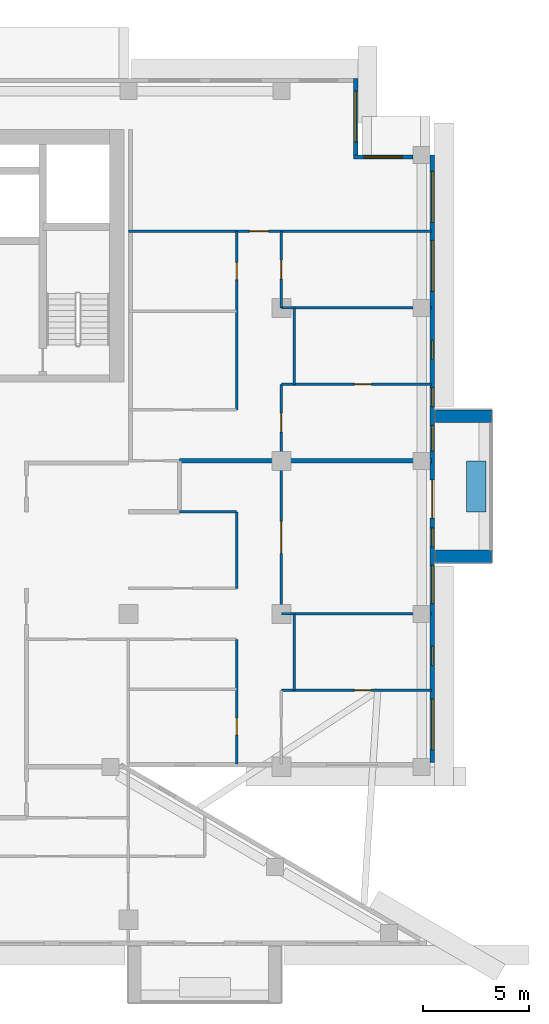
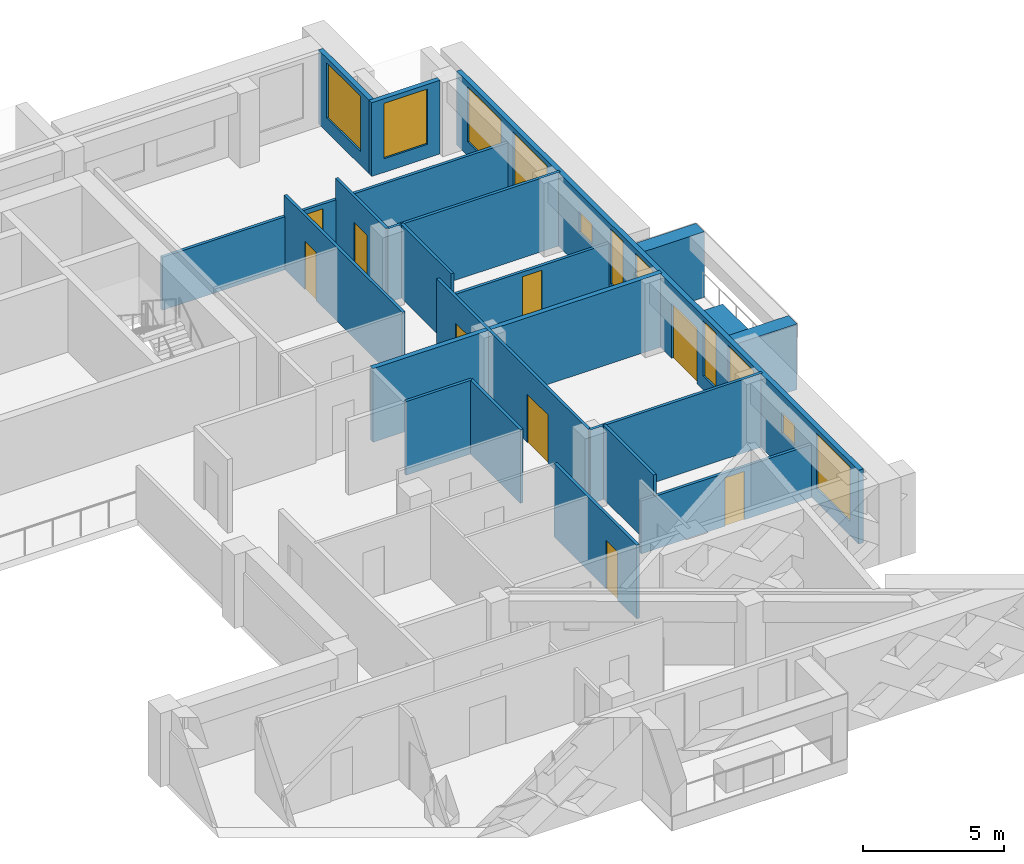
# One storey, part 12 of 20: 20 walls, 11 windows, 9 doors, 20 openings.
"""IFC4 building model written with IfcOpenShell, lengths in metres."""

from ifc_helpers import new_model, si_unit, direction, frame, frame_2d, origin, place, context, subcontext, project, spatial, rectangle, extrude, material, layer, layer_set, type_object, element, fill, save


model = new_model("IFC4")

# Units and contexts
model_context = context("Model", 3, precision=1e-05, world=origin(), true_north=direction((0.0, 1.0)))
body_context = subcontext(model_context, "Body", "Model", "MODEL_VIEW")
ifc_project = project(units=[si_unit("LENGTHUNIT", "METRE"), si_unit("AREAUNIT", "SQUARE_METRE"), si_unit("VOLUMEUNIT", "CUBIC_METRE"), si_unit("PLANEANGLEUNIT", "RADIAN"), si_unit("MASSUNIT", "GRAM", prefix="KILO")], contexts=[model_context])

# Site, building, storey
site_placement = place(None, origin())
site = spatial("IfcSite", under=ifc_project, at=site_placement, CompositionType="ELEMENT")
building_placement = place(site_placement, origin())
building = spatial("IfcBuilding", under=site, at=building_placement, Name="Saffron Iwan Residences", CompositionType="ELEMENT")
storey_placement = place(building_placement, frame((0.0, 0.0, 199.0)))
storey = spatial("IfcBuildingStorey", under=building, at=storey_placement, Name="L53", CompositionType="ELEMENT", Elevation=199.0)

# Walls
ifc_material_1 = material(Name="Concrete C50/60 white painted", Category="concrete")
ifc_layer_1 = layer(ifc_material_1, 0.60009765625)
ifc_layer_set_1 = layer_set([ifc_layer_1], Name="Concrete C50/60 white painted")
wall_type_1 = type_object("IfcWallType", Name="BALCONY FIN 600", PredefinedType="SOLIDWALL", material=ifc_layer_set_1)
for number, where, z_axis, x_axis, name in (
    (1, (86.449951171875, 57.89990234375, 0.0), (0.0, 0.0, 1.0), (1.0, 0.0, 0.0), "Balcony fin L53 F2-0a"),
    (2, (86.449951171875, 64.5, 0.0), (0.0, 0.0, 1.0), (1.0, 0.0, 0.0), "Balcony fin L53 F2-0b"),
):
    element("IfcWall", number, at=place(storey_placement, frame(where, z_axis=z_axis, x_axis=x_axis)), inside=storey, type_object=wall_type_1, Name=name, PredefinedType="SOLIDWALL", context=body_context, shape_type="SweptSolid", body=[
        extrude(rectangle(XDim=2.650146484375, YDim=0.60009765625, at=frame_2d((1.3251953125, 0.0))), origin(), (0.0, 0.0, 1.0), 2.85009765625),
    ])
ifc_material_2 = material(Name="Concrete C35/45 white painted", Category="concrete")
ifc_layer_2 = layer(ifc_material_2, 0.14990234375)
ifc_layer_set_2 = layer_set([ifc_layer_2], Name="Concrete C35/45 white painted")
wall_type_2 = type_object("IfcWallType", Name="BALCONY PLANTER", PredefinedType="SOLIDWALL", material=ifc_layer_set_2)
wall_1_placement = place(storey_placement, frame((88.375, 60.0, 0.0), z_axis=(0.0, 0.0, 1.0), x_axis=(0.0, 1.0, 0.0)))
element("IfcWall", 3, at=wall_1_placement, inside=storey, type_object=wall_type_2, Name="PLANTER L53 F2-0", PredefinedType="SOLIDWALL", context=body_context, shape_type="SweptSolid", body=[
    extrude(rectangle(XDim=2.39990234375, YDim=0.89990234375, at=frame_2d((1.199951171875, 0.0))), origin(), (0.0, 0.0, 1.0), 0.89990234375),
])

# Wall, openings, door, windows
ifc_material_3 = material(Name="Concrete C40/50", Category="concrete")
ifc_layer_3 = layer(ifc_material_3, 0.199951171875)
ifc_layer_set_3 = layer_set([ifc_layer_3], Name="Concrete C40/50")
wall_type_3 = type_object("IfcWallType", Name="EXTERNAL WALL 200", PredefinedType="SOLIDWALL", material=ifc_layer_set_3)
wall_2_placement = place(storey_placement, frame((86.300048828125, 48.199951171875, 0.0), z_axis=(0.0, 0.0, 1.0), x_axis=(0.0, 1.0, 0.0)))
wall_2 = element("IfcWall", 4, at=wall_2_placement, inside=storey, type_object=wall_type_3, Name="External wall L53 F2.0", PredefinedType="SOLIDWALL", context=body_context, shape_type="SweptSolid", body=[
    extrude(rectangle(XDim=28.60009765625, YDim=0.199951171875, at=frame_2d((14.300048828125, 0.0))), origin(), (0.0, 0.0, 1.0), 3.199951171875),
])
opening_1_placement = place(wall_2_placement, frame((11.5, 0.0, 0.0)))
opening_1 = element("IfcOpeningElement", 5, at=opening_1_placement, cuts=wall_2, Name="Opening BD1", PredefinedType="OPENING", context=body_context, shape_type="SweptSolid", body=[
    extrude(rectangle(XDim=1.800048828125, YDim=2.39990234375, at=frame_2d((0.89990234375, 1.199951171875))), frame((0.0, 0.10986328125, 0.0), z_axis=(0.0, -1.0, 0.0), x_axis=(1.0, 0.0, 0.0)), (0.0, 0.0, 1.0), 0.219970703125),
])
opening_2_placement = place(wall_2_placement, frame((0.60009765625, 0.0, 0.60009765625)))
opening_2 = element("IfcOpeningElement", 6, at=opening_2_placement, cuts=wall_2, Name="Opening W1", PredefinedType="OPENING", context=body_context, shape_type="SweptSolid", body=[
    extrude(rectangle(XDim=2.39990234375, YDim=2.39990234375, at=frame_2d((1.199951171875, 1.199951171875))), frame((0.0, 0.10986328125, 0.0), z_axis=(0.0, -1.0, 0.0), x_axis=(1.0, 0.0, 0.0)), (0.0, 0.0, 1.0), 0.219970703125),
])
opening_3_placement = place(wall_2_placement, frame((4.574951171875, 0.0, 1.5)))
opening_3 = element("IfcOpeningElement", 7, at=opening_3_placement, cuts=wall_2, Name="Opening W6", PredefinedType="OPENING", context=body_context, shape_type="SweptSolid", body=[
    extrude(rectangle(XDim=0.89990234375, YDim=0.89990234375, at=frame_2d((0.449951171875, 0.449951171875))), frame((0.0, 0.10986328125, 0.0), z_axis=(0.0, -1.0, 0.0), x_axis=(1.0, 0.0, 0.0)), (0.0, 0.0, 1.0), 0.219970703125),
])
opening_4_placement = place(wall_2_placement, frame((7.47509765625, 0.0, 0.60009765625)))
opening_4 = element("IfcOpeningElement", 8, at=opening_4_placement, cuts=wall_2, Name="Opening W8", PredefinedType="OPENING", context=body_context, shape_type="SweptSolid", body=[
    extrude(rectangle(XDim=1.800048828125, YDim=2.39990234375, at=frame_2d((0.89990234375, 1.199951171875))), frame((0.0, 0.10986328125, 0.0), z_axis=(0.0, -1.0, 0.0), x_axis=(1.0, 0.0, 0.0)), (0.0, 0.0, 1.0), 0.219970703125),
])
opening_5_placement = place(wall_2_placement, frame((10.14990234375, 0.0, 0.60009765625)))
opening_5 = element("IfcOpeningElement", 9, at=opening_5_placement, cuts=wall_2, Name="Opening W10", PredefinedType="OPENING", context=body_context, shape_type="SweptSolid", body=[
    extrude(rectangle(XDim=0.89990234375, YDim=2.39990234375, at=frame_2d((0.449951171875, 1.199951171875))), frame((0.0, 0.10986328125, 0.0), z_axis=(0.0, -1.0, 0.0), x_axis=(1.0, 0.0, 0.0)), (0.0, 0.0, 1.0), 0.219970703125),
])
opening_6_placement = place(wall_2_placement, frame((14.675048828125, 0.0, 0.60009765625)))
opening_6 = element("IfcOpeningElement", 10, at=opening_6_placement, cuts=wall_2, Name="Opening W3", PredefinedType="OPENING", context=body_context, shape_type="SweptSolid", body=[
    extrude(rectangle(XDim=1.199951171875, YDim=2.39990234375, at=frame_2d((0.60009765625, 1.199951171875))), frame((0.0, 0.10986328125, 0.0), z_axis=(0.0, -1.0, 0.0), x_axis=(1.0, 0.0, 0.0)), (0.0, 0.0, 1.0), 0.219970703125),
])
opening_7_placement = place(wall_2_placement, frame((16.75, 0.0, 0.60009765625)))
opening_7 = element("IfcOpeningElement", 11, at=opening_7_placement, cuts=wall_2, Name="Opening W10", PredefinedType="OPENING", context=body_context, shape_type="SweptSolid", body=[
    extrude(rectangle(XDim=0.89990234375, YDim=2.39990234375, at=frame_2d((0.449951171875, 1.199951171875))), frame((0.0, 0.10986328125, 0.0), z_axis=(0.0, -1.0, 0.0), x_axis=(1.0, 0.0, 0.0)), (0.0, 0.0, 1.0), 0.219970703125),
])
opening_8_placement = place(wall_2_placement, frame((18.97509765625, 0.0, 1.5)))
opening_8 = element("IfcOpeningElement", 12, at=opening_8_placement, cuts=wall_2, Name="Opening W6", PredefinedType="OPENING", context=body_context, shape_type="SweptSolid", body=[
    extrude(rectangle(XDim=0.89990234375, YDim=0.89990234375, at=frame_2d((0.449951171875, 0.449951171875))), frame((0.0, 0.10986328125, 0.0), z_axis=(0.0, -1.0, 0.0), x_axis=(1.0, 0.0, 0.0)), (0.0, 0.0, 1.0), 0.219970703125),
])
opening_9_placement = place(wall_2_placement, frame((22.175048828125, 0.0, 0.60009765625)))
opening_9 = element("IfcOpeningElement", 13, at=opening_9_placement, cuts=wall_2, Name="Opening W1", PredefinedType="OPENING", context=body_context, shape_type="SweptSolid", body=[
    extrude(rectangle(XDim=2.39990234375, YDim=2.39990234375, at=frame_2d((1.199951171875, 1.199951171875))), frame((0.0, 0.10986328125, 0.0), z_axis=(0.0, -1.0, 0.0), x_axis=(1.0, 0.0, 0.0)), (0.0, 0.0, 1.0), 0.219970703125),
])
opening_10_placement = place(wall_2_placement, frame((25.425048828125, 0.0, 0.60009765625)))
opening_10 = element("IfcOpeningElement", 14, at=opening_10_placement, cuts=wall_2, Name="Opening W1", PredefinedType="OPENING", context=body_context, shape_type="SweptSolid", body=[
    extrude(rectangle(XDim=2.39990234375, YDim=2.39990234375, at=frame_2d((1.199951171875, 1.199951171875))), frame((0.0, 0.10986328125, 0.0), z_axis=(0.0, -1.0, 0.0), x_axis=(1.0, 0.0, 0.0)), (0.0, 0.0, 1.0), 0.219970703125),
])
ifc_material_4 = material(Name="Clear glass, laminated double glazed", Category="glass")
door_type_1 = type_object("IfcDoorType", Name="BALCONY DOOR 1800 x 2400", OperationType="DOUBLE_DOOR_SLIDING", PredefinedType="DOOR", material=ifc_material_4)
door_1_placement = place(opening_1_placement, origin())
door_1 = element("IfcDoor", 15, at=door_1_placement, inside=storey, type_object=door_type_1, Name="Balcony door L53 F2.0", OperationType="DOUBLE_DOOR_SLIDING", OverallHeight=2.39990234375, OverallWidth=1.800048828125, PredefinedType="DOOR", context=body_context, shape_type="SweptSolid", body=[
    extrude(rectangle(XDim=1.800048828125, YDim=2.39990234375, at=frame_2d((0.89990234375, 1.199951171875))), frame((0.0, 0.02490234375, 0.0), z_axis=(0.0, -1.0, 0.0), x_axis=(1.0, 0.0, 0.0)), (0.0, 0.0, 1.0), 0.050048828125),
])
fill(opening_1, door_1)
window_type_1 = type_object("IfcWindowType", Name="WINDOW 1200 x 2400", PartitioningType="SINGLE_PANEL", PredefinedType="WINDOW", material=ifc_material_4)
window_1_placement = place(opening_6_placement, origin())
window_1 = element("IfcWindow", 16, at=window_1_placement, inside=storey, type_object=window_type_1, Name="Window L53 F2.5", OverallHeight=2.39990234375, OverallWidth=1.199951171875, PartitioningType="SINGLE_PANEL", PredefinedType="WINDOW", context=body_context, shape_type="SweptSolid", body=[
    extrude(rectangle(XDim=1.199951171875, YDim=2.39990234375, at=frame_2d((0.60009765625, 1.199951171875))), frame((0.0, 0.030029296875, 0.0), z_axis=(0.0, -1.0, 0.0), x_axis=(1.0, 0.0, 0.0)), (0.0, 0.0, 1.0), 0.06005859375),
])
fill(opening_6, window_1)
window_type_2 = type_object("IfcWindowType", Name="WINDOW 1800 x 2400", PartitioningType="DOUBLE_PANEL_VERTICAL", PredefinedType="WINDOW", material=ifc_material_4)
window_2_placement = place(opening_4_placement, origin())
window_2 = element("IfcWindow", 17, at=window_2_placement, inside=storey, type_object=window_type_2, Name="Window L53 F2.3", OverallHeight=2.39990234375, OverallWidth=1.800048828125, PartitioningType="DOUBLE_PANEL_VERTICAL", PredefinedType="WINDOW", context=body_context, shape_type="SweptSolid", body=[
    extrude(rectangle(XDim=1.800048828125, YDim=2.39990234375, at=frame_2d((0.89990234375, 1.199951171875))), frame((0.0, 0.030029296875, 0.0), z_axis=(0.0, -1.0, 0.0), x_axis=(1.0, 0.0, 0.0)), (0.0, 0.0, 1.0), 0.06005859375),
])
fill(opening_4, window_2)
window_type_3 = type_object("IfcWindowType", Name="WINDOW 2400 x 2400", PartitioningType="DOUBLE_PANEL_VERTICAL", PredefinedType="WINDOW", material=ifc_material_4)
window_3_placement = place(opening_2_placement, origin())
window_3 = element("IfcWindow", 18, at=window_3_placement, inside=storey, type_object=window_type_3, Name="Window L53 F2.1", OverallHeight=2.39990234375, OverallWidth=2.39990234375, PartitioningType="DOUBLE_PANEL_VERTICAL", PredefinedType="WINDOW", context=body_context, shape_type="SweptSolid", body=[
    extrude(rectangle(XDim=2.39990234375, YDim=2.39990234375, at=frame_2d((1.199951171875, 1.199951171875))), frame((0.0, 0.030029296875, 0.0), z_axis=(0.0, -1.0, 0.0), x_axis=(1.0, 0.0, 0.0)), (0.0, 0.0, 1.0), 0.06005859375),
])
fill(opening_2, window_3)
window_4_placement = place(opening_9_placement, origin())
window_4 = element("IfcWindow", 19, at=window_4_placement, inside=storey, type_object=window_type_3, Name="Window L53 F2.8", OverallHeight=2.39990234375, OverallWidth=2.39990234375, PartitioningType="DOUBLE_PANEL_VERTICAL", PredefinedType="WINDOW", context=body_context, shape_type="SweptSolid", body=[
    extrude(rectangle(XDim=2.39990234375, YDim=2.39990234375, at=frame_2d((1.199951171875, 1.199951171875))), frame((0.0, 0.030029296875, 0.0), z_axis=(0.0, -1.0, 0.0), x_axis=(1.0, 0.0, 0.0)), (0.0, 0.0, 1.0), 0.06005859375),
])
fill(opening_9, window_4)
window_5_placement = place(opening_10_placement, origin())
window_5 = element("IfcWindow", 20, at=window_5_placement, inside=storey, type_object=window_type_3, Name="Window L53 F2.9", OverallHeight=2.39990234375, OverallWidth=2.39990234375, PartitioningType="DOUBLE_PANEL_VERTICAL", PredefinedType="WINDOW", context=body_context, shape_type="SweptSolid", body=[
    extrude(rectangle(XDim=2.39990234375, YDim=2.39990234375, at=frame_2d((1.199951171875, 1.199951171875))), frame((0.0, 0.030029296875, 0.0), z_axis=(0.0, -1.0, 0.0), x_axis=(1.0, 0.0, 0.0)), (0.0, 0.0, 1.0), 0.06005859375),
])
fill(opening_10, window_5)
window_type_4 = type_object("IfcWindowType", Name="WINDOW 900 x 2400", PartitioningType="SINGLE_PANEL", PredefinedType="WINDOW", material=ifc_material_4)
window_6_placement = place(opening_5_placement, origin())
window_6 = element("IfcWindow", 21, at=window_6_placement, inside=storey, type_object=window_type_4, Name="Window L53 F2.4", OverallHeight=2.39990234375, OverallWidth=0.89990234375, PartitioningType="SINGLE_PANEL", PredefinedType="WINDOW", context=body_context, shape_type="SweptSolid", body=[
    extrude(rectangle(XDim=0.89990234375, YDim=2.39990234375, at=frame_2d((0.449951171875, 1.199951171875))), frame((0.0, 0.030029296875, 0.0), z_axis=(0.0, -1.0, 0.0), x_axis=(1.0, 0.0, 0.0)), (0.0, 0.0, 1.0), 0.06005859375),
])
fill(opening_5, window_6)
window_7_placement = place(opening_7_placement, origin())
window_7 = element("IfcWindow", 22, at=window_7_placement, inside=storey, type_object=window_type_4, Name="Window L53 F2.6", OverallHeight=2.39990234375, OverallWidth=0.89990234375, PartitioningType="SINGLE_PANEL", PredefinedType="WINDOW", context=body_context, shape_type="SweptSolid", body=[
    extrude(rectangle(XDim=0.89990234375, YDim=2.39990234375, at=frame_2d((0.449951171875, 1.199951171875))), frame((0.0, 0.030029296875, 0.0), z_axis=(0.0, -1.0, 0.0), x_axis=(1.0, 0.0, 0.0)), (0.0, 0.0, 1.0), 0.06005859375),
])
fill(opening_7, window_7)
window_type_5 = type_object("IfcWindowType", Name="WINDOW 900 x 900 BATH", PartitioningType="SINGLE_PANEL", PredefinedType="WINDOW", material=ifc_material_4)
window_8_placement = place(opening_3_placement, origin())
window_8 = element("IfcWindow", 23, at=window_8_placement, inside=storey, type_object=window_type_5, Name="Window L53 F2.2", OverallHeight=0.89990234375, OverallWidth=0.89990234375, PartitioningType="SINGLE_PANEL", PredefinedType="WINDOW", context=body_context, shape_type="SweptSolid", body=[
    extrude(rectangle(XDim=0.89990234375, YDim=0.89990234375, at=frame_2d((0.449951171875, 0.449951171875))), frame((0.0, 0.030029296875, 0.0), z_axis=(0.0, -1.0, 0.0), x_axis=(1.0, 0.0, 0.0)), (0.0, 0.0, 1.0), 0.06005859375),
])
fill(opening_3, window_8)
window_9_placement = place(opening_8_placement, origin())
window_9 = element("IfcWindow", 24, at=window_9_placement, inside=storey, type_object=window_type_5, Name="Window L53 F2.7", OverallHeight=0.89990234375, OverallWidth=0.89990234375, PartitioningType="SINGLE_PANEL", PredefinedType="WINDOW", context=body_context, shape_type="SweptSolid", body=[
    extrude(rectangle(XDim=0.89990234375, YDim=0.89990234375, at=frame_2d((0.449951171875, 0.449951171875))), frame((0.0, 0.030029296875, 0.0), z_axis=(0.0, -1.0, 0.0), x_axis=(1.0, 0.0, 0.0)), (0.0, 0.0, 1.0), 0.06005859375),
])
fill(opening_8, window_9)

# Wall, opening, window
wall_3_placement = place(storey_placement, frame((85.39990234375, 76.699951171875, 0.0), z_axis=(0.0, 0.0, 1.0), x_axis=(-1.0, 0.0, 0.0)))
wall_3 = element("IfcWall", 25, at=wall_3_placement, inside=storey, type_object=wall_type_3, Name="External wall L53 F3.0", PredefinedType="SOLIDWALL", context=body_context, shape_type="SweptSolid", body=[
    extrude(rectangle(XDim=2.7998046875, YDim=0.199951171875, at=frame_2d((1.39990234375, 0.0))), origin(), (0.0, 0.0, 1.0), 3.199951171875),
])
opening_11_placement = place(wall_3_placement, frame((0.5, 0.0, 0.60009765625)))
opening_11 = element("IfcOpeningElement", 26, at=opening_11_placement, cuts=wall_3, Name="Opening W8", PredefinedType="OPENING", context=body_context, shape_type="SweptSolid", body=[
    extrude(rectangle(XDim=1.800048828125, YDim=2.39990234375, at=frame_2d((0.89990234375, 1.199951171875))), frame((0.0, 0.10986328125, 0.0), z_axis=(0.0, -1.0, 0.0), x_axis=(1.0, 0.0, 0.0)), (0.0, 0.0, 1.0), 0.219970703125),
])
window_10_placement = place(opening_11_placement, origin())
window_10 = element("IfcWindow", 27, at=window_10_placement, inside=storey, type_object=window_type_2, Name="Window L53 F3.0", OverallHeight=2.39990234375, OverallWidth=1.800048828125, PartitioningType="DOUBLE_PANEL_VERTICAL", PredefinedType="WINDOW", context=body_context, shape_type="SweptSolid", body=[
    extrude(rectangle(XDim=1.800048828125, YDim=2.39990234375, at=frame_2d((0.89990234375, 1.199951171875))), frame((0.0, 0.030029296875, 0.0), z_axis=(0.0, -1.0, 0.0), x_axis=(1.0, 0.0, 0.0)), (0.0, 0.0, 1.0), 0.06005859375),
])
fill(opening_11, window_10)

wall_4_placement = place(storey_placement, frame((82.699951171875, 76.800048828125, 0.0), z_axis=(0.0, 0.0, 1.0), x_axis=(0.0, 1.0, 0.0)))
wall_4 = element("IfcWall", 28, at=wall_4_placement, inside=storey, type_object=wall_type_3, Name="External wall L53 F4.0", PredefinedType="SOLIDWALL", context=body_context, shape_type="SweptSolid", body=[
    extrude(rectangle(XDim=3.599853515625, YDim=0.199951171875, at=frame_2d((1.7998046875, 0.0))), origin(), (0.0, 0.0, 1.0), 3.199951171875),
])
opening_12_placement = place(wall_4_placement, frame((0.60009765625, 0.0, 0.60009765625)))
opening_12 = element("IfcOpeningElement", 29, at=opening_12_placement, cuts=wall_4, Name="Opening W1", PredefinedType="OPENING", context=body_context, shape_type="SweptSolid", body=[
    extrude(rectangle(XDim=2.39990234375, YDim=2.39990234375, at=frame_2d((1.199951171875, 1.199951171875))), frame((0.0, 0.10986328125, 0.0), z_axis=(0.0, -1.0, 0.0), x_axis=(1.0, 0.0, 0.0)), (0.0, 0.0, 1.0), 0.219970703125),
])
window_11_placement = place(opening_12_placement, origin())
window_11 = element("IfcWindow", 30, at=window_11_placement, inside=storey, type_object=window_type_3, Name="Window L53 F4.0", OverallHeight=2.39990234375, OverallWidth=2.39990234375, PartitioningType="DOUBLE_PANEL_VERTICAL", PredefinedType="WINDOW", context=body_context, shape_type="SweptSolid", body=[
    extrude(rectangle(XDim=2.39990234375, YDim=2.39990234375, at=frame_2d((1.199951171875, 1.199951171875))), frame((0.0, 0.030029296875, 0.0), z_axis=(0.0, -1.0, 0.0), x_axis=(1.0, 0.0, 0.0)), (0.0, 0.0, 1.0), 0.06005859375),
])
fill(opening_12, window_11)

# Wall
ifc_material_5 = material(Name="Fire-rated gypsum board wall")
ifc_layer_4 = layer(ifc_material_5, 0.199951171875)
ifc_layer_set_4 = layer_set([ifc_layer_4], Name="Fire-rated gypsum board wall")
wall_type_4 = type_object("IfcWallType", Name="Flat demising wall 200", PredefinedType="SOLIDWALL", material=ifc_layer_set_4)
wall_5_placement = place(storey_placement, frame((74.39990234375, 62.39990234375, 0.0), z_axis=(0.0, 0.0, 1.0), x_axis=(1.0, 0.0, 0.0)))
element("IfcWall", 31, at=wall_5_placement, inside=storey, type_object=wall_type_4, Name="W-L53-DEMISE-h62.4-74.4", PredefinedType="SOLIDWALL", context=body_context, shape_type="SweptSolid", body=[
    extrude(rectangle(XDim=11.875, YDim=0.199951171875, at=frame_2d((5.9375, 0.0))), origin(), (0.0, 0.0, 1.0), 3.199951171875),
])

# Wall, opening, door
ifc_material_6 = material(Name="Gypsum board partition")
ifc_layer_5 = layer(ifc_material_6, 0.1201171875)
ifc_layer_set_5 = layer_set([ifc_layer_5], Name="Gypsum board partition")
wall_type_5 = type_object("IfcWallType", Name="Flat partition 120", PredefinedType="PARTITIONING", material=ifc_layer_set_5)
wall_6_placement = place(storey_placement, frame((79.199951171875, 51.60009765625, 0.0), z_axis=(0.0, 0.0, 1.0), x_axis=(1.0, 0.0, 0.0)))
wall_6 = element("IfcWall", 32, at=wall_6_placement, inside=storey, type_object=wall_type_5, Name="W-L53-PART-h51.6-79.2", PredefinedType="PARTITIONING", context=body_context, shape_type="SweptSolid", body=[
    extrude(rectangle(XDim=7.074951171875, YDim=0.1201171875, at=frame_2d((3.53759765625, 0.0))), origin(), (0.0, 0.0, 1.0), 2.300048828125),
])
opening_13_placement = place(wall_6_placement, frame((3.4375, 0.0, 0.0)))
opening_13 = element("IfcOpeningElement", 33, at=opening_13_placement, cuts=wall_6, Name="Opening FD3", PredefinedType="OPENING", context=body_context, shape_type="SweptSolid", body=[
    extrude(rectangle(XDim=0.800048828125, YDim=2.10009765625, at=frame_2d((0.39990234375, 1.050048828125))), frame((0.0, 0.070068359375, 0.0), z_axis=(0.0, -1.0, 0.0), x_axis=(1.0, 0.0, 0.0)), (0.0, 0.0, 1.0), 0.14013671875),
])
ifc_material_7 = material(Name="Timber door", Category="wood")
door_type_2 = type_object("IfcDoorType", Name="Bathroom door 800", OperationType="NOTDEFINED", PredefinedType="DOOR", material=ifc_material_7)
door_2_placement = place(opening_13_placement, origin())
door_2 = element("IfcDoor", 34, at=door_2_placement, inside=storey, type_object=door_type_2, Name="Door L53-018", OperationType="SINGLE_SWING_LEFT", OverallHeight=2.10009765625, OverallWidth=0.800048828125, PredefinedType="DOOR", context=body_context, shape_type="SweptSolid", body=[
    extrude(rectangle(XDim=0.800048828125, YDim=2.10009765625, at=frame_2d((0.39990234375, 1.050048828125))), frame((0.0, 0.02490234375, 0.0), z_axis=(0.0, -1.0, 0.0), x_axis=(1.0, 0.0, 0.0)), (0.0, 0.0, 1.0), 0.050048828125),
])
fill(opening_13, door_2)

# Walls
wall_7_placement = place(storey_placement, frame((79.199951171875, 55.199951171875, 0.0), z_axis=(0.0, 0.0, 1.0), x_axis=(1.0, 0.0, 0.0)))
element("IfcWall", 35, at=wall_7_placement, inside=storey, type_object=wall_type_5, Name="W-L53-PART-h55.2-79.2", PredefinedType="PARTITIONING", context=body_context, shape_type="SweptSolid", body=[
    extrude(rectangle(XDim=7.074951171875, YDim=0.1201171875, at=frame_2d((3.53759765625, 0.0))), origin(), (0.0, 0.0, 1.0), 3.199951171875),
])
wall_8_placement = place(storey_placement, frame((74.39990234375, 60.0, 0.0), z_axis=(0.0, 0.0, 1.0), x_axis=(1.0, 0.0, 0.0)))
element("IfcWall", 36, at=wall_8_placement, inside=storey, type_object=wall_type_5, Name="W-L53-PART-h60-74.4", PredefinedType="PARTITIONING", context=body_context, shape_type="SweptSolid", body=[
    extrude(rectangle(XDim=2.7001953125, YDim=0.1201171875, at=frame_2d((1.35009765625, 0.0))), origin(), (0.0, 0.0, 1.0), 3.199951171875),
])

# Wall, opening, door
wall_9_placement = place(storey_placement, frame((79.199951171875, 66.0, 0.0), z_axis=(0.0, 0.0, 1.0), x_axis=(1.0, 0.0, 0.0)))
wall_9 = element("IfcWall", 37, at=wall_9_placement, inside=storey, type_object=wall_type_5, Name="W-L53-PART-h66-79.2", PredefinedType="PARTITIONING", context=body_context, shape_type="SweptSolid", body=[
    extrude(rectangle(XDim=7.074951171875, YDim=0.1201171875, at=frame_2d((3.53759765625, 0.0))), origin(), (0.0, 0.0, 1.0), 2.300048828125),
])
opening_14_placement = place(wall_9_placement, frame((3.4375, 0.0, 0.0)))
opening_14 = element("IfcOpeningElement", 38, at=opening_14_placement, cuts=wall_9, Name="Opening FD3", PredefinedType="OPENING", context=body_context, shape_type="SweptSolid", body=[
    extrude(rectangle(XDim=0.800048828125, YDim=2.10009765625, at=frame_2d((0.39990234375, 1.050048828125))), frame((0.0, 0.070068359375, 0.0), z_axis=(0.0, -1.0, 0.0), x_axis=(1.0, 0.0, 0.0)), (0.0, 0.0, 1.0), 0.14013671875),
])
door_3_placement = place(opening_14_placement, origin())
door_3 = element("IfcDoor", 39, at=door_3_placement, inside=storey, type_object=door_type_2, Name="Door L53-035", OperationType="SINGLE_SWING_RIGHT", OverallHeight=2.10009765625, OverallWidth=0.800048828125, PredefinedType="DOOR", context=body_context, shape_type="SweptSolid", body=[
    extrude(rectangle(XDim=0.800048828125, YDim=2.10009765625, at=frame_2d((0.39990234375, 1.050048828125))), frame((0.0, 0.02490234375, 0.0), z_axis=(0.0, -1.0, 0.0), x_axis=(1.0, 0.0, 0.0)), (0.0, 0.0, 1.0), 0.050048828125),
])
fill(opening_14, door_3)

# Wall
wall_10_placement = place(storey_placement, frame((79.199951171875, 69.60009765625, 0.0), z_axis=(0.0, 0.0, 1.0), x_axis=(1.0, 0.0, 0.0)))
element("IfcWall", 40, at=wall_10_placement, inside=storey, type_object=wall_type_5, Name="W-L53-PART-h69.6-79.2", PredefinedType="PARTITIONING", context=body_context, shape_type="SweptSolid", body=[
    extrude(rectangle(XDim=7.074951171875, YDim=0.1201171875, at=frame_2d((3.53759765625, 0.0))), origin(), (0.0, 0.0, 1.0), 3.199951171875),
])

# Wall, opening, door
wall_11_placement = place(storey_placement, frame((72.0, 73.199951171875, 0.0), z_axis=(0.0, 0.0, 1.0), x_axis=(1.0, 0.0, 0.0)))
wall_11 = element("IfcWall", 41, at=wall_11_placement, inside=storey, type_object=wall_type_5, Name="W-L53-PART-h73.2-72", PredefinedType="PARTITIONING", context=body_context, shape_type="SweptSolid", body=[
    extrude(rectangle(XDim=14.27490234375, YDim=0.1201171875, at=frame_2d((7.137451171875, 0.0))), origin(), (0.0, 0.0, 1.0), 2.300048828125),
])
opening_15_placement = place(wall_11_placement, frame((5.699951171875, 0.0, 0.0)))
opening_15 = element("IfcOpeningElement", 42, at=opening_15_placement, cuts=wall_11, Name="Opening FD2", PredefinedType="OPENING", context=body_context, shape_type="SweptSolid", body=[
    extrude(rectangle(XDim=0.89990234375, YDim=2.10009765625, at=frame_2d((0.449951171875, 1.050048828125))), frame((0.0, 0.070068359375, 0.0), z_axis=(0.0, -1.0, 0.0), x_axis=(1.0, 0.0, 0.0)), (0.0, 0.0, 1.0), 0.14013671875),
])
door_type_3 = type_object("IfcDoorType", Name="Flat door 900", OperationType="NOTDEFINED", PredefinedType="DOOR", material=ifc_material_7)
door_4_placement = place(opening_15_placement, origin())
door_4 = element("IfcDoor", 43, at=door_4_placement, inside=storey, type_object=door_type_3, Name="Door L53-037", OperationType="SINGLE_SWING_LEFT", OverallHeight=2.10009765625, OverallWidth=0.89990234375, PredefinedType="DOOR", context=body_context, shape_type="SweptSolid", body=[
    extrude(rectangle(XDim=0.89990234375, YDim=2.10009765625, at=frame_2d((0.449951171875, 1.050048828125))), frame((0.0, 0.02490234375, 0.0), z_axis=(0.0, -1.0, 0.0), x_axis=(1.0, 0.0, 0.0)), (0.0, 0.0, 1.0), 0.050048828125),
])
fill(opening_15, door_4)

wall_12_placement = place(storey_placement, frame((77.10009765625, 48.125, 0.0), z_axis=(0.0, 0.0, 1.0), x_axis=(0.0, 1.0, 0.0)))
wall_12 = element("IfcWall", 44, at=wall_12_placement, inside=storey, type_object=wall_type_5, Name="W-L53-PART-v77.1-48.125", PredefinedType="PARTITIONING", context=body_context, shape_type="SweptSolid", body=[
    extrude(rectangle(XDim=5.875, YDim=0.1201171875, at=frame_2d((2.9375, 0.0))), origin(), (0.0, 0.0, 1.0), 3.199951171875),
])
opening_16_placement = place(wall_12_placement, frame((1.362548828125, 0.0, 0.0)))
opening_16 = element("IfcOpeningElement", 45, at=opening_16_placement, cuts=wall_12, Name="Opening FD3", PredefinedType="OPENING", context=body_context, shape_type="SweptSolid", body=[
    extrude(rectangle(XDim=0.800048828125, YDim=2.10009765625, at=frame_2d((0.39990234375, 1.050048828125))), frame((0.0, 0.070068359375, 0.0), z_axis=(0.0, -1.0, 0.0), x_axis=(1.0, 0.0, 0.0)), (0.0, 0.0, 1.0), 0.14013671875),
])
door_5_placement = place(opening_16_placement, origin())
door_5 = element("IfcDoor", 46, at=door_5_placement, inside=storey, type_object=door_type_2, Name="Door L53-020", OperationType="SINGLE_SWING_RIGHT", OverallHeight=2.10009765625, OverallWidth=0.800048828125, PredefinedType="DOOR", context=body_context, shape_type="SweptSolid", body=[
    extrude(rectangle(XDim=0.800048828125, YDim=2.10009765625, at=frame_2d((0.39990234375, 1.050048828125))), frame((0.0, 0.02490234375, 0.0), z_axis=(0.0, -1.0, 0.0), x_axis=(1.0, 0.0, 0.0)), (0.0, 0.0, 1.0), 0.050048828125),
])
fill(opening_16, door_5)

# Wall
wall_13_placement = place(storey_placement, frame((77.10009765625, 56.39990234375, 0.0), z_axis=(0.0, 0.0, 1.0), x_axis=(0.0, 1.0, 0.0)))
element("IfcWall", 47, at=wall_13_placement, inside=storey, type_object=wall_type_5, Name="W-L53-PART-v77.1-56.4", PredefinedType="PARTITIONING", context=body_context, shape_type="SweptSolid", body=[
    extrude(rectangle(XDim=3.60009765625, YDim=0.1201171875, at=frame_2d((1.800048828125, 0.0))), origin(), (0.0, 0.0, 1.0), 3.199951171875),
])

# Wall, opening, door
wall_14_placement = place(storey_placement, frame((77.10009765625, 64.800048828125, 0.0), z_axis=(0.0, 0.0, 1.0), x_axis=(0.0, 1.0, 0.0)))
wall_14 = element("IfcWall", 48, at=wall_14_placement, inside=storey, type_object=wall_type_5, Name="W-L53-PART-v77.1-64.8", PredefinedType="PARTITIONING", context=body_context, shape_type="SweptSolid", body=[
    extrude(rectangle(XDim=8.39990234375, YDim=0.1201171875, at=frame_2d((4.199951171875, 0.0))), origin(), (0.0, 0.0, 1.0), 3.199951171875),
])
opening_17_placement = place(wall_14_placement, frame((6.125, 0.0, 0.0)))
opening_17 = element("IfcOpeningElement", 49, at=opening_17_placement, cuts=wall_14, Name="Opening FD3", PredefinedType="OPENING", context=body_context, shape_type="SweptSolid", body=[
    extrude(rectangle(XDim=0.800048828125, YDim=2.10009765625, at=frame_2d((0.39990234375, 1.050048828125))), frame((0.0, 0.070068359375, 0.0), z_axis=(0.0, -1.0, 0.0), x_axis=(1.0, 0.0, 0.0)), (0.0, 0.0, 1.0), 0.14013671875),
])
door_6_placement = place(opening_17_placement, origin())
door_6 = element("IfcDoor", 50, at=door_6_placement, inside=storey, type_object=door_type_2, Name="Door L53-039", OperationType="SINGLE_SWING_LEFT", OverallHeight=2.10009765625, OverallWidth=0.800048828125, PredefinedType="DOOR", context=body_context, shape_type="SweptSolid", body=[
    extrude(rectangle(XDim=0.800048828125, YDim=2.10009765625, at=frame_2d((0.39990234375, 1.050048828125))), frame((0.0, 0.02490234375, 0.0), z_axis=(0.0, -1.0, 0.0), x_axis=(1.0, 0.0, 0.0)), (0.0, 0.0, 1.0), 0.050048828125),
])
fill(opening_17, door_6)

# Wall, openings, doors
wall_15_placement = place(storey_placement, frame((79.199951171875, 55.199951171875, 0.0), z_axis=(0.0, 0.0, 1.0), x_axis=(0.0, 1.0, 0.0)))
wall_15 = element("IfcWall", 51, at=wall_15_placement, inside=storey, type_object=wall_type_5, Name="W-L53-PART-v79.2-55.2", PredefinedType="PARTITIONING", context=body_context, shape_type="SweptSolid", body=[
    extrude(rectangle(XDim=10.800048828125, YDim=0.1201171875, at=frame_2d((5.39990234375, 0.0))), origin(), (0.0, 0.0, 1.0), 3.199951171875),
])
opening_18_placement = place(wall_15_placement, frame((2.85009765625, 0.0, 0.0)))
opening_18 = element("IfcOpeningElement", 52, at=opening_18_placement, cuts=wall_15, Name="Opening FD4", PredefinedType="OPENING", context=body_context, shape_type="SweptSolid", body=[
    extrude(rectangle(XDim=1.5, YDim=2.10009765625, at=frame_2d((0.75, 1.050048828125))), frame((0.0, 0.070068359375, 0.0), z_axis=(0.0, -1.0, 0.0), x_axis=(1.0, 0.0, 0.0)), (0.0, 0.0, 1.0), 0.14013671875),
])
opening_19_placement = place(wall_15_placement, frame((8.550048828125, 0.0, 0.0)))
opening_19 = element("IfcOpeningElement", 53, at=opening_19_placement, cuts=wall_15, Name="Opening FD2", PredefinedType="OPENING", context=body_context, shape_type="SweptSolid", body=[
    extrude(rectangle(XDim=0.89990234375, YDim=2.10009765625, at=frame_2d((0.449951171875, 1.050048828125))), frame((0.0, 0.070068359375, 0.0), z_axis=(0.0, -1.0, 0.0), x_axis=(1.0, 0.0, 0.0)), (0.0, 0.0, 1.0), 0.14013671875),
])
door_type_4 = type_object("IfcDoorType", Name="Double door 1500", OperationType="NOTDEFINED", PredefinedType="DOOR", material=ifc_material_7)
door_7_placement = place(opening_18_placement, origin())
door_7 = element("IfcDoor", 54, at=door_7_placement, inside=storey, type_object=door_type_4, Name="Door L53-019", OperationType="SINGLE_SWING_LEFT", OverallHeight=2.10009765625, OverallWidth=1.5, PredefinedType="DOOR", context=body_context, shape_type="SweptSolid", body=[
    extrude(rectangle(XDim=1.5, YDim=2.10009765625, at=frame_2d((0.75, 1.050048828125))), frame((0.0, 0.02490234375, 0.0), z_axis=(0.0, -1.0, 0.0), x_axis=(1.0, 0.0, 0.0)), (0.0, 0.0, 1.0), 0.050048828125),
])
fill(opening_18, door_7)
door_8_placement = place(opening_19_placement, origin())
door_8 = element("IfcDoor", 55, at=door_8_placement, inside=storey, type_object=door_type_3, Name="Door L53-034", OperationType="SINGLE_SWING_LEFT", OverallHeight=2.10009765625, OverallWidth=0.89990234375, PredefinedType="DOOR", context=body_context, shape_type="SweptSolid", body=[
    extrude(rectangle(XDim=0.89990234375, YDim=2.10009765625, at=frame_2d((0.449951171875, 1.050048828125))), frame((0.0, 0.02490234375, 0.0), z_axis=(0.0, -1.0, 0.0), x_axis=(1.0, 0.0, 0.0)), (0.0, 0.0, 1.0), 0.050048828125),
])
fill(opening_19, door_8)

# Wall, opening, door
wall_16_placement = place(storey_placement, frame((79.199951171875, 69.60009765625, 0.0), z_axis=(0.0, 0.0, 1.0), x_axis=(0.0, 1.0, 0.0)))
wall_16 = element("IfcWall", 56, at=wall_16_placement, inside=storey, type_object=wall_type_5, Name="W-L53-PART-v79.2-69.6", PredefinedType="PARTITIONING", context=body_context, shape_type="SweptSolid", body=[
    extrude(rectangle(XDim=3.599853515625, YDim=0.1201171875, at=frame_2d((1.7998046875, 0.0))), origin(), (0.0, 0.0, 1.0), 3.199951171875),
])
opening_20_placement = place(wall_16_placement, frame((1.35009765625, 0.0, 0.0)))
opening_20 = element("IfcOpeningElement", 57, at=opening_20_placement, cuts=wall_16, Name="Opening FD2", PredefinedType="OPENING", context=body_context, shape_type="SweptSolid", body=[
    extrude(rectangle(XDim=0.89990234375, YDim=2.10009765625, at=frame_2d((0.449951171875, 1.050048828125))), frame((0.0, 0.070068359375, 0.0), z_axis=(0.0, -1.0, 0.0), x_axis=(1.0, 0.0, 0.0)), (0.0, 0.0, 1.0), 0.14013671875),
])
door_9_placement = place(opening_20_placement, origin())
door_9 = element("IfcDoor", 58, at=door_9_placement, inside=storey, type_object=door_type_3, Name="Door L53-036", OperationType="SINGLE_SWING_LEFT", OverallHeight=2.10009765625, OverallWidth=0.89990234375, PredefinedType="DOOR", context=body_context, shape_type="SweptSolid", body=[
    extrude(rectangle(XDim=0.89990234375, YDim=2.10009765625, at=frame_2d((0.449951171875, 1.050048828125))), frame((0.0, 0.02490234375, 0.0), z_axis=(0.0, -1.0, 0.0), x_axis=(1.0, 0.0, 0.0)), (0.0, 0.0, 1.0), 0.050048828125),
])
fill(opening_20, door_9)

# Walls
wall_17_placement = place(storey_placement, frame((79.800048828125, 51.60009765625, 0.0), z_axis=(0.0, 0.0, 1.0), x_axis=(0.0, 1.0, 0.0)))
element("IfcWall", 59, at=wall_17_placement, inside=storey, type_object=wall_type_5, Name="W-L53-PART-v79.8-51.6", PredefinedType="PARTITIONING", context=body_context, shape_type="SweptSolid", body=[
    extrude(rectangle(XDim=3.599853515625, YDim=0.1201171875, at=frame_2d((1.7998046875, 0.0))), origin(), (0.0, 0.0, 1.0), 3.199951171875),
])
wall_18_placement = place(storey_placement, frame((79.800048828125, 66.0, 0.0), z_axis=(0.0, 0.0, 1.0), x_axis=(0.0, 1.0, 0.0)))
element("IfcWall", 60, at=wall_18_placement, inside=storey, type_object=wall_type_5, Name="W-L53-PART-v79.8-66", PredefinedType="PARTITIONING", context=body_context, shape_type="SweptSolid", body=[
    extrude(rectangle(XDim=3.60009765625, YDim=0.1201171875, at=frame_2d((1.800048828125, 0.0))), origin(), (0.0, 0.0, 1.0), 3.199951171875),
])

save(model, "model.ifc")
